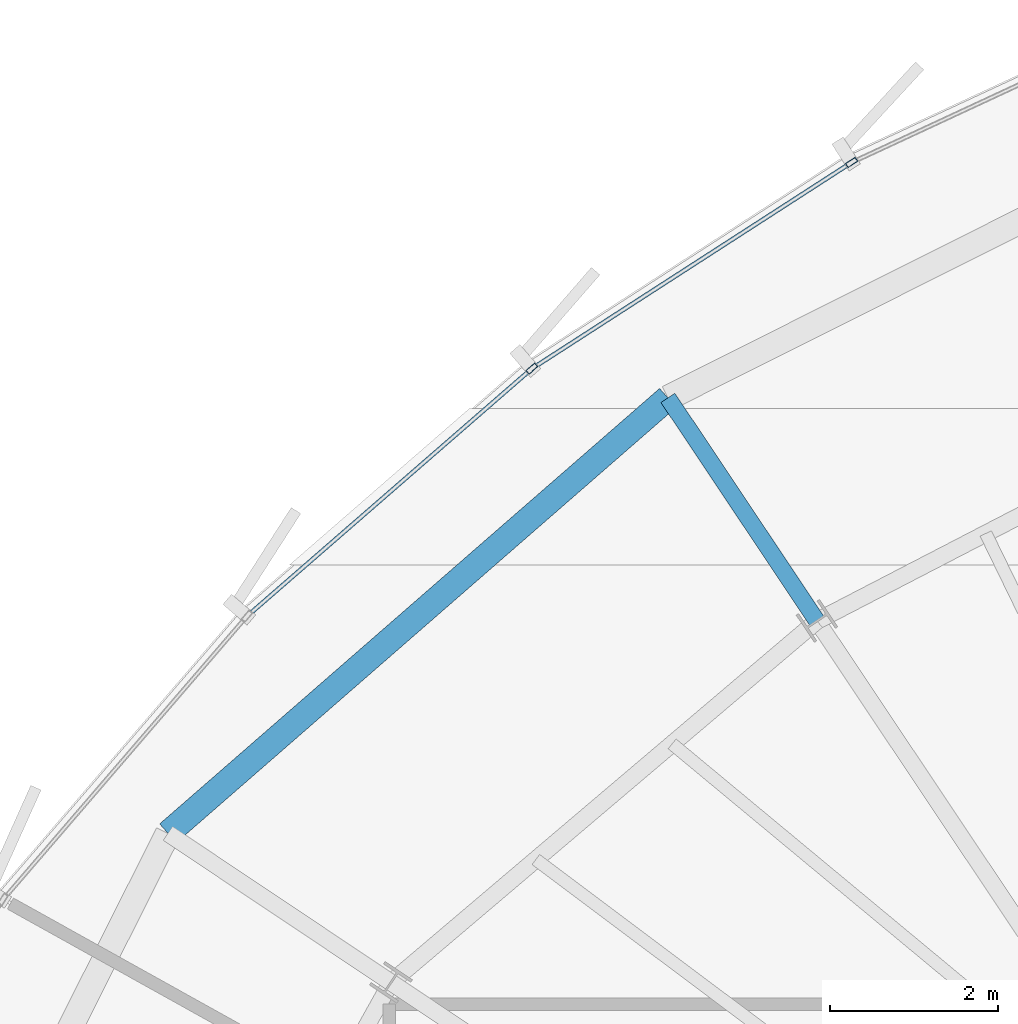
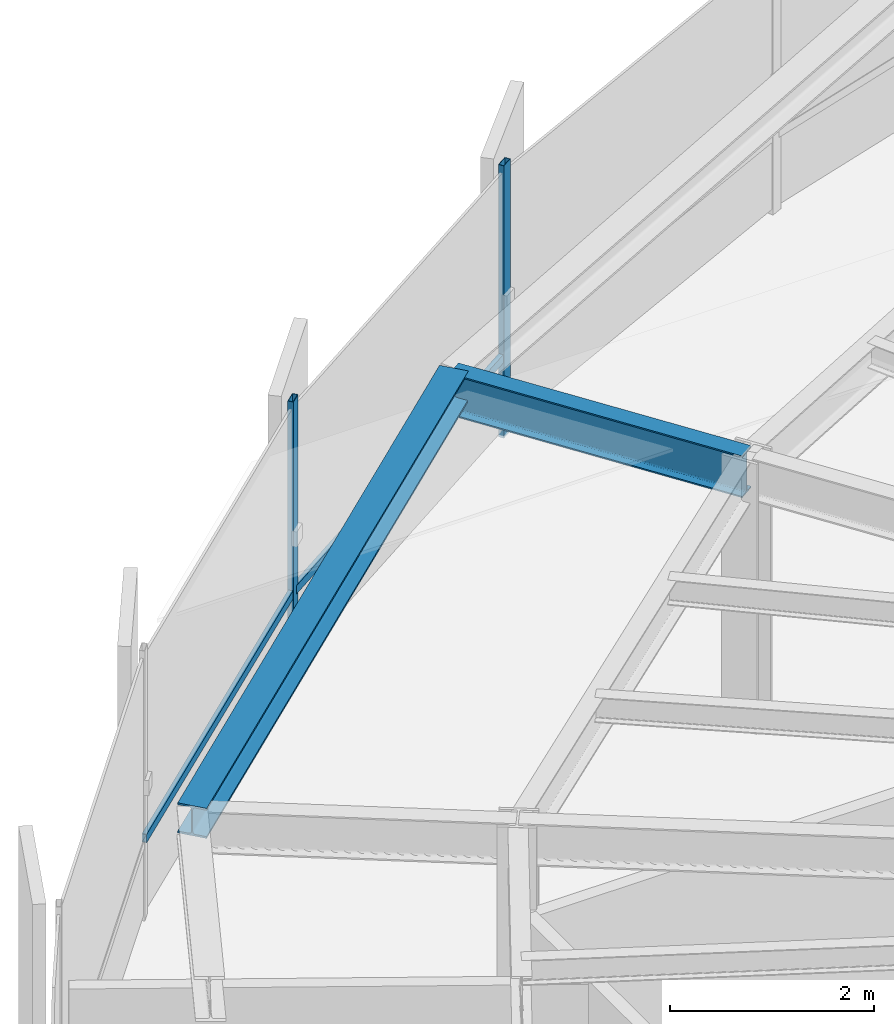
# One storey, part 21 of 34: 4 members, 2 beams, 1 element without a shape of its own.
"""IFC4 building model written with IfcOpenShell, lengths in metres."""

from ifc_helpers import new_model, si_unit, direction, frame, origin, origin_2d, place, context, subcontext, project, spatial, hollow_rectangle, i_section, extrude, source, transform, mapped, material, layer, layer_set, material_profile, profile_set, type_object, element, aggregate, save


model = new_model("IFC4")

# Units and contexts
model_context = context("Model", 3, precision=1e-05, world=origin(), true_north=direction((0.0, 1.0)))
body_context = subcontext(model_context, "Body", "Model", "MODEL_VIEW")
ifc_project = project(units=[si_unit("LENGTHUNIT", "METRE"), si_unit("AREAUNIT", "SQUARE_METRE"), si_unit("VOLUMEUNIT", "CUBIC_METRE"), si_unit("PLANEANGLEUNIT", "RADIAN"), si_unit("MASSUNIT", "GRAM", prefix="KILO"), si_unit("THERMODYNAMICTEMPERATUREUNIT", "KELVIN")], contexts=[model_context])

# Site, building, storey
site_placement = place(None, origin())
site = spatial("IfcSite", under=ifc_project, at=site_placement, CompositionType="ELEMENT")
building_placement = place(site_placement, origin())
building = spatial("IfcBuilding", under=site, at=building_placement, Name="Kethvar Cultural Tower", CompositionType="ELEMENT")
storey_placement = place(building_placement, frame((0.0, 0.0, 183.39990234375)))
storey = spatial("IfcBuildingStorey", under=building, at=storey_placement, Name="L47", CompositionType="ELEMENT", Elevation=183.39990234375)

# Beams
ifc_material_1 = material(Name="Steel S355J2", Category="steel")
ifc_material_profile_1 = material_profile(ifc_material_1, i_section(OverallWidth=0.199951171875, OverallDepth=0.5, WebThickness=0.01025390625, FlangeThickness=0.01611328125, FilletRadius=0.02099609375, at=origin_2d()), Name="Steel S355J2 — IPE500")
ifc_profile_set_1 = profile_set([ifc_material_profile_1], Name="Steel S355J2 — IPE500")
beam_type_1 = type_object("IfcBeamType", Name="BM-IPE500", PredefinedType="BEAM", material=ifc_profile_set_1)
shared_shape_1 = source(origin(), body_context, "Body", "SweptSolid", [
    extrude(i_section(OverallWidth=0.199951171875, OverallDepth=0.5, WebThickness=0.01025390625, FlangeThickness=0.01611328125, FilletRadius=0.02099609375, at=origin_2d()), origin(), (0.0, 0.0, 1.0), 3.199951171875),
])
beam_1_placement = place(storey_placement, frame((37.498779296875, 41.720458984375, 3.008056640625), z_axis=(-0.555580212716, 0.831462943996, 0.0), x_axis=(-0.831462943996, -0.555580212716, 0.0)))
element("IfcBeam", 1, at=beam_1_placement, inside=storey, type_object=beam_type_1, Name="L47 Perimeter Cantilever Beam RC-06", PredefinedType="BEAM", context=body_context, shape_type="MappedRepresentation", body=[
    mapped(shared_shape_1, transform((0.0, 0.0, 0.0), scale=1.0)),
])
ifc_material_profile_2 = material_profile(ifc_material_1, i_section(OverallWidth=0.300048828125, OverallDepth=0.360107421875, WebThickness=0.012451171875, FlangeThickness=0.0224609375, FilletRadius=0.027099609375, at=origin_2d()), Name="Steel S355J2 — HEB360")
ifc_profile_set_2 = profile_set([ifc_material_profile_2], Name="Steel S355J2 — HEB360")
beam_type_2 = type_object("IfcBeamType", Name="BM-SP360", PredefinedType="SPANDREL", material=ifc_profile_set_2)
shared_shape_2 = source(origin(), body_context, "Body", "SweptSolid", [
    extrude(i_section(OverallWidth=0.300048828125, OverallDepth=0.360107421875, WebThickness=0.012451171875, FlangeThickness=0.0224609375, FilletRadius=0.027099609375, at=origin_2d()), origin(), (0.0, 0.0, 1.0), 7.908203125),
])
beam_2_placement = place(storey_placement, frame((35.720947265625, 44.381103515625, 3.078125), z_axis=(-0.754085541675, -0.656776214427, 0.0), x_axis=(0.656776214427, -0.754085541675, 0.0)))
element("IfcBeam", 2, at=beam_2_placement, inside=storey, type_object=beam_type_2, Name="L47 Perimeter Spandrel Beam SP-06", PredefinedType="SPANDREL", context=body_context, shape_type="MappedRepresentation", body=[
    mapped(shared_shape_2, transform((0.0, 0.0, 0.0), scale=1.0)),
])

# Curtain wall, members
ifc_material_2 = material(Name="Aluminium 6063-T6", Category="aluminium")
ifc_layer = layer(ifc_material_2, 0.179931640625, Name="Aluminium 6063-T6", Category="aluminium")
ifc_layer_set = layer_set([ifc_layer], Name="Aluminium 6063-T6 (180 mm)")
curtain_wall_type = type_object("IfcCurtainWallType", Name="CW-SYS-04-Z34", PredefinedType="NOTDEFINED", material=ifc_layer_set)
curtain_wall_placement = place(storey_placement, origin())
curtain_wall = element("IfcCurtainWall", 3, at=curtain_wall_placement, inside=storey, type_object=curtain_wall_type, Name="L47 Curtain Wall Run 02", PredefinedType="NOTDEFINED")
ifc_material_profile_3 = material_profile(ifc_material_2, hollow_rectangle(XDim=0.06005859375, YDim=0.139892578125, WallThickness=0.0048828125, at=origin_2d()), Name="Aluminium 6063-T6 — RHS140x60x5")
ifc_profile_set_3 = profile_set([ifc_material_profile_3], Name="Aluminium 6063-T6 — RHS140x60x5")
member_type_1 = type_object("IfcMemberType", Name="CW-SYS-04-Z34-MUL", PredefinedType="MULLION", material=ifc_profile_set_3)
shared_shape_3 = source(origin(), body_context, "Body", "SweptSolid", [
    extrude(hollow_rectangle(XDim=0.06005859375, YDim=0.139892578125, WallThickness=0.0048828125, at=origin_2d()), origin(), (0.0, 0.0, 1.0), 3.260009765625),
])
member_1_placement = place(storey_placement, frame((37.91162109375, 47.189453125, 0.0), z_axis=(0.0, 0.0, 1.0), x_axis=(0.542148255651, -0.84028285053, 0.0)))
member_1 = element("IfcMember", 4, at=member_1_placement, type_object=member_type_1, Name="CW-L47-R02 Mullion 3", PredefinedType="MULLION", context=body_context, shape_type="MappedRepresentation", body=[
    mapped(shared_shape_3, transform((0.0, 0.0, 0.0), scale=1.0)),
])
member_2_placement = place(storey_placement, frame((34.09814453125, 44.73046875, 0.0), z_axis=(0.0, 0.0, 1.0), x_axis=(0.656085372925, -0.754686678983, 0.0)))
member_2 = element("IfcMember", 5, at=member_2_placement, type_object=member_type_1, Name="CW-L47-R02 Mullion 4", PredefinedType="MULLION", context=body_context, shape_type="MappedRepresentation", body=[
    mapped(shared_shape_3, transform((0.0, 0.0, 0.0), scale=1.0)),
])
ifc_material_profile_4 = material_profile(ifc_material_2, hollow_rectangle(XDim=0.050048828125, YDim=0.10009765625, WallThickness=0.00390625, at=origin_2d()), Name="Aluminium 6063-T6 — RHS100x50x4")
ifc_profile_set_4 = profile_set([ifc_material_profile_4], Name="Aluminium 6063-T6 — RHS100x50x4")
member_type_2 = type_object("IfcMemberType", Name="CW-SYS-04-Z34-TRN", PredefinedType="USERDEFINED", material=ifc_profile_set_4)
shared_shape_4 = source(origin(), body_context, "Body", "SweptSolid", [
    extrude(hollow_rectangle(XDim=0.050048828125, YDim=0.10009765625, WallThickness=0.00390625, at=origin_2d()), origin(), (0.0, 0.0, 1.0), 4.466796875),
])
member_3_placement = place(storey_placement, frame((37.875244140625, 47.166015625, 0.9501953125), z_axis=(-0.840289419513, -0.542138074161, 0.0), x_axis=(0.542138074161, -0.840289419513, 0.0)))
member_3 = element("IfcMember", 6, at=member_3_placement, type_object=member_type_2, Name="CW-L47-R02 Transom 3", ObjectType="TRANSOM", PredefinedType="USERDEFINED", context=body_context, shape_type="MappedRepresentation", body=[
    mapped(shared_shape_4, transform((0.0, 0.0, 0.0), scale=1.0)),
])
shared_shape_5 = source(origin(), body_context, "Body", "SweptSolid", [
    extrude(hollow_rectangle(XDim=0.050048828125, YDim=0.10009765625, WallThickness=0.00390625, at=origin_2d()), origin(), (0.0, 0.0, 1.0), 4.431884765625),
])
member_4_placement = place(storey_placement, frame((34.065673828125, 44.701904296875, 0.9501953125), z_axis=(-0.754715807591, -0.656051865154, 0.0), x_axis=(0.656051865154, -0.754715807591, 0.0)))
member_4 = element("IfcMember", 7, at=member_4_placement, type_object=member_type_2, Name="CW-L47-R02 Transom 4", ObjectType="TRANSOM", PredefinedType="USERDEFINED", context=body_context, shape_type="MappedRepresentation", body=[
    mapped(shared_shape_5, transform((0.0, 0.0, 0.0), scale=1.0)),
])
aggregate(curtain_wall, [member_1, member_2, member_3, member_4])

save(model, "model.ifc")
